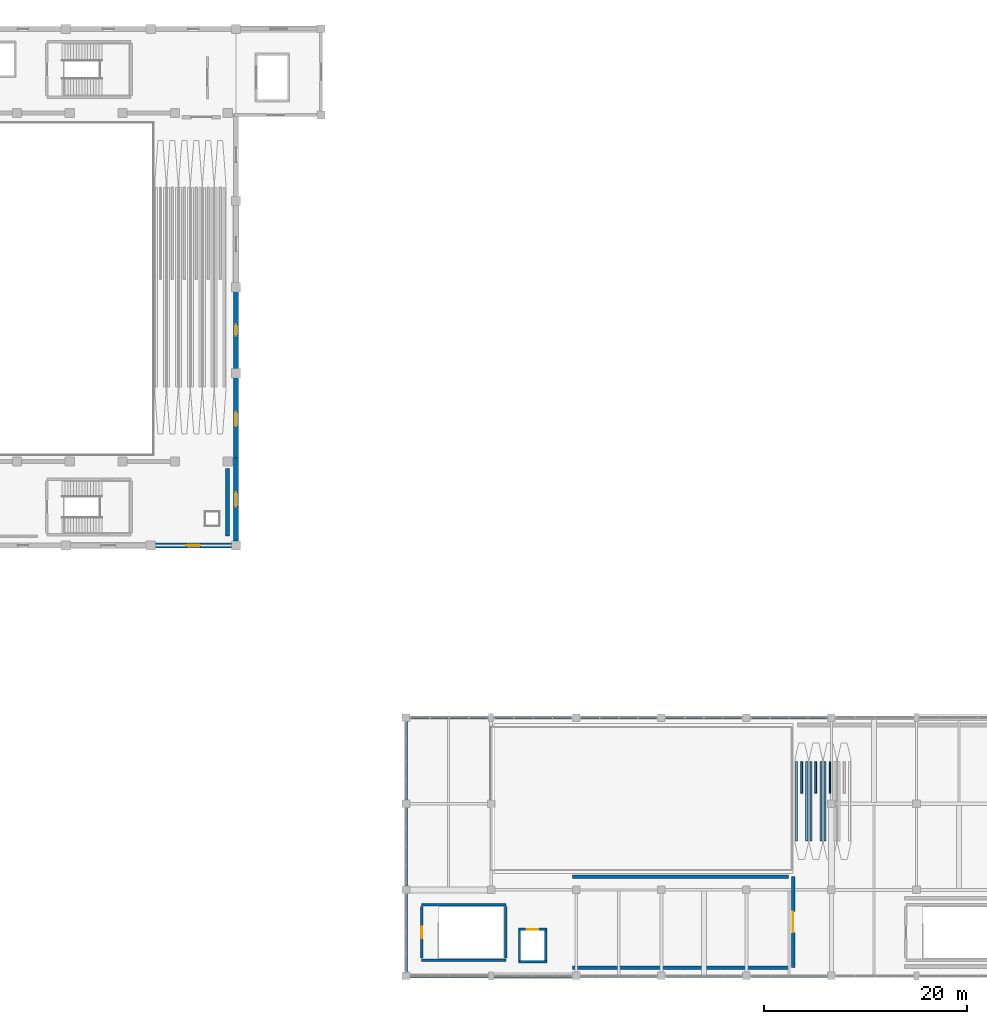
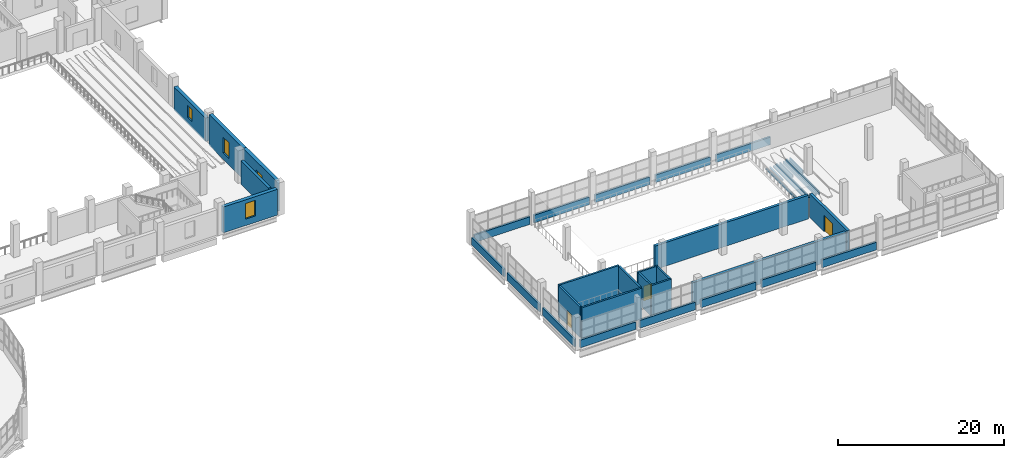
# One storey, part 63 of 77: 37 walls, 4 windows, 3 doors, 7 openings.
"""IFC4 building model written with IfcOpenShell, lengths in metres."""

from ifc_helpers import new_model, si_unit, direction, frame, frame_2d, origin, place, context, subcontext, project, spatial, rectangle, extrude, material, layer, layer_set, type_object, element, fill, save


model = new_model("IFC4")

# Units and contexts
model_context = context("Model", 3, precision=1e-05, world=origin(), true_north=direction((0.0, 1.0)))
body_context = subcontext(model_context, "Body", "Model", "MODEL_VIEW")
ifc_project = project(units=[si_unit("LENGTHUNIT", "METRE"), si_unit("AREAUNIT", "SQUARE_METRE"), si_unit("VOLUMEUNIT", "CUBIC_METRE"), si_unit("PLANEANGLEUNIT", "RADIAN"), si_unit("MASSUNIT", "GRAM", prefix="KILO")], contexts=[model_context])

# Site, building, storey
site_placement = place(None, origin())
site = spatial("IfcSite", under=ifc_project, at=site_placement, CompositionType="ELEMENT")
building_placement = place(site_placement, origin())
building = spatial("IfcBuilding", under=site, at=building_placement, Name="Solvento Point Concert Hall", CompositionType="ELEMENT")
storey_placement = place(building_placement, frame((0.0, 0.0, 10.199951171875)))
storey = spatial("IfcBuildingStorey", under=building, at=storey_placement, Name="L02", CompositionType="ELEMENT", Elevation=10.199951171875)

# Wall
ifc_material_1 = material(Name="Acoustic Double-Stud Gypsum Partition")
ifc_layer_1 = layer(ifc_material_1, 0.364990234375)
ifc_layer_set_1 = layer_set([ifc_layer_1], Name="Acoustic Double-Stud Gypsum Partition")
wall_type_1 = type_object("IfcWallType", Name="AcousticPartition_365", PredefinedType="PARTITIONING", material=ifc_layer_set_1)
wall_1_placement = place(storey_placement, frame((132.3798828125, 50.10009765625, 0.0), z_axis=(0.0, 0.0, 1.0), x_axis=(0.0, -1.0, 0.0)))
element("IfcWall", 1, at=wall_1_placement, inside=storey, type_object=wall_type_1, Name="Interior acoustic partition PW-43 L02", PredefinedType="PARTITIONING", context=body_context, shape_type="SweptSolid", body=[
    extrude(rectangle(XDim=6.68017578125, YDim=0.364990234375, at=frame_2d((3.340087890625, 0.0))), origin(), (0.0, 0.0, 1.0), 3.4599609375),
])

# Wall, opening, door
wall_2_placement = place(storey_placement, frame((188.219970703125, 0.820068359375, 0.0), z_axis=(0.0, 0.0, 1.0), x_axis=(0.0, 1.0, 0.0)))
wall_2 = element("IfcWall", 2, at=wall_2_placement, inside=storey, type_object=wall_type_1, Name="Interior acoustic partition PW-43 L02", PredefinedType="PARTITIONING", context=body_context, shape_type="SweptSolid", body=[
    extrude(rectangle(XDim=9.01611328125, YDim=0.364990234375, at=frame_2d((4.508056640625, 0.0))), origin(), (0.0, 0.0, 1.0), 3.4599609375),
])
opening_1_placement = place(wall_2_placement, frame((3.488037109375, 0.0, 0.0)))
opening_1 = element("IfcOpeningElement", 3, at=opening_1_placement, cuts=wall_2, Name="Opening DR-97", PredefinedType="OPENING", context=body_context, shape_type="SweptSolid", body=[
    extrude(rectangle(XDim=2.0400390625, YDim=2.39990234375, at=frame_2d((1.02001953125, 1.199951171875))), frame((0.0, 0.1923828125, 0.0), z_axis=(0.0, -1.0, 0.0), x_axis=(1.0, 0.0, 0.0)), (0.0, 0.0, 1.0), 0.385009765625),
])
ifc_material_2 = material(Name="Brazilian Hardwood Acoustic Door", Category="wood")
door_type_1 = type_object("IfcDoorType", Name="IntDoor_ChamberSoundLk", OperationType="NOTDEFINED", PredefinedType="DOOR", material=ifc_material_2)
door_1_placement = place(opening_1_placement, origin())
door_1 = element("IfcDoor", 4, at=door_1_placement, inside=storey, type_object=door_type_1, Name="Interior door DR-97 L02", OperationType="SINGLE_SWING_LEFT", OverallHeight=2.39990234375, OverallWidth=2.0400390625, PredefinedType="DOOR", context=body_context, shape_type="SweptSolid", body=[
    extrude(rectangle(XDim=2.0400390625, YDim=2.39990234375, at=frame_2d((1.02001953125, 1.199951171875))), frame((0.0, 0.02490234375, 0.0), z_axis=(0.0, -1.0, 0.0), x_axis=(1.0, 0.0, 0.0)), (0.0, 0.0, 1.0), 0.050048828125),
])
fill(opening_1, door_1)

# Walls
for number, where, z_axis, x_axis, name in (
    (5, (166.419921875, 9.780029296875, 0.0), (0.0, 0.0, 1.0), (1.0, 0.0, 0.0), "Interior acoustic partition PW-43 L02"),
    (6, (187.780029296875, 0.820068359375, 0.0), (0.0, 0.0, 1.0), (-1.0, 0.0, 0.0), "Interior acoustic partition PW-43 L02"),
):
    element("IfcWall", number, at=place(storey_placement, frame(where, z_axis=z_axis, x_axis=x_axis)), inside=storey, type_object=wall_type_1, Name=name, PredefinedType="PARTITIONING", context=body_context, shape_type="SweptSolid", body=[
        extrude(rectangle(XDim=21.360107421875, YDim=0.364990234375, at=frame_2d((10.68017578125, 0.0))), origin(), (0.0, 0.0, 1.0), 3.4599609375),
    ])
ifc_material_3 = material(Name="Concrete C40/50", Category="concrete")
ifc_layer_2 = layer(ifc_material_3, 0.300048828125)
ifc_layer_set_2 = layer_set([ifc_layer_2], Name="Concrete C40/50")
wall_type_2 = type_object("IfcWallType", Name="CoreShearWall_300", PredefinedType="SHEAR", material=ifc_layer_set_2)
for number, where, z_axis, x_axis, name in (
    (7, (159.85009765625, 1.550048828125, 0.0), (0.0, 0.0, 1.0), (-1.0, 0.0, 0.0), "Stair core shear wall W-SH1 ST-08 L02"),
    (8, (151.550048828125, 7.050048828125, 0.0), (0.0, 0.0, 1.0), (1.0, 0.0, 0.0), "Stair core shear wall W-SH1 ST-08 L02"),
):
    element("IfcWall", number, at=place(storey_placement, frame(where, z_axis=z_axis, x_axis=x_axis)), inside=storey, type_object=wall_type_2, Name=name, PredefinedType="SHEAR", context=body_context, shape_type="SweptSolid", body=[
        extrude(rectangle(XDim=8.300048828125, YDim=0.25, at=frame_2d((4.14990234375, 0.0))), origin(), (0.0, 0.0, 1.0), 4.5400390625),
    ])

# Wall, opening, door
wall_3_placement = place(storey_placement, frame((151.550048828125, 1.75, 0.0), z_axis=(0.0, 0.0, 1.0), x_axis=(0.0, 1.0, 0.0)))
wall_3 = element("IfcWall", 9, at=wall_3_placement, inside=storey, type_object=wall_type_2, Name="Stair core shear wall W-SH1 ST-08 L02", PredefinedType="SHEAR", context=body_context, shape_type="SweptSolid", body=[
    extrude(rectangle(XDim=5.10009765625, YDim=0.25, at=frame_2d((2.550048828125, 0.0))), origin(), (0.0, 0.0, 1.0), 4.5400390625),
])
opening_2_placement = place(wall_3_placement, frame((1.97509765625, 0.0, 0.0)))
opening_2 = element("IfcOpeningElement", 10, at=opening_2_placement, cuts=wall_3, Name="Opening D-ST1", PredefinedType="OPENING", context=body_context, shape_type="SweptSolid", body=[
    extrude(rectangle(XDim=1.14990234375, YDim=2.179931640625, at=frame_2d((0.574951171875, 1.08984375))), frame((0.0, 0.135009765625, 0.0), z_axis=(0.0, -1.0, 0.0), x_axis=(1.0, 0.0, 0.0)), (0.0, 0.0, 1.0), 0.27001953125),
])
ifc_material_4 = material(Name="Hollow Metal Acoustic Fire Door")
door_type_2 = type_object("IfcDoorType", Name="StairFireDoor_1150", OperationType="NOTDEFINED", PredefinedType="DOOR", material=ifc_material_4)
door_2_placement = place(opening_2_placement, origin())
door_2 = element("IfcDoor", 11, at=door_2_placement, inside=storey, type_object=door_type_2, Name="Protected exit stair door ST-08 L02", OperationType="SINGLE_SWING_RIGHT", OverallHeight=2.179931640625, OverallWidth=1.14990234375, PredefinedType="DOOR", context=body_context, shape_type="SweptSolid", body=[
    extrude(rectangle(XDim=1.14990234375, YDim=2.179931640625, at=frame_2d((0.574951171875, 1.08984375))), frame((0.0, 0.02490234375, 0.0), z_axis=(0.0, -1.0, 0.0), x_axis=(1.0, 0.0, 0.0)), (0.0, 0.0, 1.0), 0.050048828125),
])
fill(opening_2, door_2)

# Walls
wall_4_placement = place(storey_placement, frame((159.85009765625, 6.85009765625, 0.0), z_axis=(0.0, 0.0, 1.0), x_axis=(0.0, -1.0, 0.0)))
element("IfcWall", 12, at=wall_4_placement, inside=storey, type_object=wall_type_2, Name="Stair core shear wall W-SH1 ST-08 L02", PredefinedType="SHEAR", context=body_context, shape_type="SweptSolid", body=[
    extrude(rectangle(XDim=5.10009765625, YDim=0.25, at=frame_2d((2.550048828125, 0.0))), origin(), (0.0, 0.0, 1.0), 4.5400390625),
])
wall_5_placement = place(storey_placement, frame((161.090087890625, 1.39990234375, 0.0), z_axis=(0.0, 0.0, 1.0), x_axis=(1.0, 0.0, 0.0)))
element("IfcWall", 13, at=wall_5_placement, inside=storey, type_object=wall_type_2, Name="Elevator shaft shear wall W-SH1 LP-04 L02", PredefinedType="SHEAR", context=body_context, shape_type="SweptSolid", body=[
    extrude(rectangle(XDim=2.81982421875, YDim=0.219970703125, at=frame_2d((1.409912109375, 0.0))), origin(), (0.0, 0.0, 1.0), 4.5400390625),
])

# Wall, opening, door
wall_6_placement = place(storey_placement, frame((161.090087890625, 4.60009765625, 0.0), z_axis=(0.0, 0.0, 1.0), x_axis=(1.0, 0.0, 0.0)))
wall_6 = element("IfcWall", 14, at=wall_6_placement, inside=storey, type_object=wall_type_2, Name="Elevator shaft shear wall W-SH1 LP-04 L02", PredefinedType="SHEAR", context=body_context, shape_type="SweptSolid", body=[
    extrude(rectangle(XDim=2.81982421875, YDim=0.219970703125, at=frame_2d((1.409912109375, 0.0))), origin(), (0.0, 0.0, 1.0), 4.5400390625),
])
opening_3_placement = place(wall_6_placement, frame((0.8349609375, 0.0, 0.0)))
opening_3 = element("IfcOpeningElement", 15, at=opening_3_placement, cuts=wall_6, Name="Opening LD-02", PredefinedType="OPENING", context=body_context, shape_type="SweptSolid", body=[
    extrude(rectangle(XDim=1.14990234375, YDim=2.199951171875, at=frame_2d((0.574951171875, 1.10009765625))), frame((0.0, 0.119873046875, 0.0), z_axis=(0.0, -1.0, 0.0), x_axis=(1.0, 0.0, 0.0)), (0.0, 0.0, 1.0), 0.239990234375),
])
ifc_material_5 = material(Name="Hollow Metal Acoustic Fire Door")
door_type_3 = type_object("IfcDoorType", Name="LiftLandingDoor_Pass", OperationType="SLIDING_TO_LEFT", PredefinedType="DOOR", material=ifc_material_5)
door_3_placement = place(opening_3_placement, origin())
door_3 = element("IfcDoor", 16, at=door_3_placement, inside=storey, type_object=door_type_3, Name="Elevator landing door LP-04 L02", OperationType="SLIDING_TO_LEFT", OverallHeight=2.199951171875, OverallWidth=1.14990234375, PredefinedType="DOOR", context=body_context, shape_type="SweptSolid", body=[
    extrude(rectangle(XDim=1.14990234375, YDim=2.199951171875, at=frame_2d((0.574951171875, 1.10009765625))), frame((0.0, 0.02490234375, 0.0), z_axis=(0.0, -1.0, 0.0), x_axis=(1.0, 0.0, 0.0)), (0.0, 0.0, 1.0), 0.050048828125),
])
fill(opening_3, door_3)

# Walls
for number, where, z_axis, x_axis, name in (
    (17, (161.199951171875, 1.510009765625, 0.0), (0.0, 0.0, 1.0), (0.0, 1.0, 0.0), "Elevator shaft shear wall W-SH1 LP-04 L02"),
    (18, (163.800048828125, 1.510009765625, 0.0), (0.0, 0.0, 1.0), (0.0, 1.0, 0.0), "Elevator shaft shear wall W-SH1 LP-04 L02"),
):
    element("IfcWall", number, at=place(storey_placement, frame(where, z_axis=z_axis, x_axis=x_axis)), inside=storey, type_object=wall_type_2, Name=name, PredefinedType="SHEAR", context=body_context, shape_type="SweptSolid", body=[
        extrude(rectangle(XDim=2.97998046875, YDim=0.219970703125, at=frame_2d((1.489990234375, 0.0))), origin(), (0.0, 0.0, 1.0), 4.5400390625),
    ])

# Wall, opening, window
ifc_material_6 = material(Name="Concrete C40/50", Category="concrete")
ifc_layer_3 = layer(ifc_material_6, 0.47998046875)
ifc_layer_set_3 = layer_set([ifc_layer_3], Name="Concrete C40/50")
wall_type_3 = type_object("IfcWallType", Name="ExtWall_V1_Drum_480", PredefinedType="SOLIDWALL", material=ifc_layer_set_3)
wall_7_placement = place(storey_placement, frame((133.199951171875, 51.159912109375, 0.0), z_axis=(0.0, 0.0, 1.0), x_axis=(0.0, -1.0, 0.0)))
wall_7 = element("IfcWall", 19, at=wall_7_placement, inside=storey, type_object=wall_type_3, Name="Exterior architectural concrete wall EW-46 L02", PredefinedType="SOLIDWALL", context=body_context, shape_type="SweptSolid", body=[
    extrude(rectangle(XDim=8.22998046875, YDim=0.47998046875, at=frame_2d((4.114990234375, 0.0))), origin(), (0.0, 0.0, 1.0), 4.5400390625),
])
opening_4_placement = place(wall_7_placement, frame((3.4150390625, 0.0, 0.949951171875)))
opening_4 = element("IfcOpeningElement", 20, at=opening_4_placement, cuts=wall_7, Name="Opening WN-33", PredefinedType="OPENING", context=body_context, shape_type="SweptSolid", body=[
    extrude(rectangle(XDim=1.39990234375, YDim=2.300048828125, at=frame_2d((0.699951171875, 1.14990234375))), frame((0.0, 0.25, 0.0), z_axis=(0.0, -1.0, 0.0), x_axis=(1.0, 0.0, 0.0)), (0.0, 0.0, 1.0), 0.5),
])
ifc_material_7 = material(Name="Hurricane Laminated Low-E Glass", Category="glass")
window_type_1 = type_object("IfcWindowType", Name="Win_V1_ParterreSlot_L02", PartitioningType="SINGLE_PANEL", PredefinedType="WINDOW", material=ifc_material_7)
window_1_placement = place(opening_4_placement, origin())
window_1 = element("IfcWindow", 21, at=window_1_placement, inside=storey, type_object=window_type_1, Name="Impact acoustic window WN-33", OverallHeight=2.300048828125, OverallWidth=1.39990234375, PartitioningType="SINGLE_PANEL", PredefinedType="WINDOW", context=body_context, shape_type="SweptSolid", body=[
    extrude(rectangle(XDim=1.39990234375, YDim=2.300048828125, at=frame_2d((0.699951171875, 1.14990234375))), frame((0.0, 0.030029296875, 0.0), z_axis=(0.0, -1.0, 0.0), x_axis=(1.0, 0.0, 0.0)), (0.0, 0.0, 1.0), 0.06005859375),
])
fill(opening_4, window_1)

wall_8_placement = place(storey_placement, frame((133.199951171875, 59.070068359375, 0.0), z_axis=(0.0, 0.0, 1.0), x_axis=(0.0, -1.0, 0.0)))
wall_8 = element("IfcWall", 22, at=wall_8_placement, inside=storey, type_object=wall_type_3, Name="Exterior architectural concrete wall EW-46 L02", PredefinedType="SOLIDWALL", context=body_context, shape_type="SweptSolid", body=[
    extrude(rectangle(XDim=8.22998046875, YDim=0.47998046875, at=frame_2d((4.114990234375, 0.0))), origin(), (0.0, 0.0, 1.0), 4.5400390625),
])
opening_5_placement = place(wall_8_placement, frame((3.4150390625, 0.0, 0.949951171875)))
opening_5 = element("IfcOpeningElement", 23, at=opening_5_placement, cuts=wall_8, Name="Opening WN-33", PredefinedType="OPENING", context=body_context, shape_type="SweptSolid", body=[
    extrude(rectangle(XDim=1.39990234375, YDim=2.300048828125, at=frame_2d((0.699951171875, 1.14990234375))), frame((0.0, 0.25, 0.0), z_axis=(0.0, -1.0, 0.0), x_axis=(1.0, 0.0, 0.0)), (0.0, 0.0, 1.0), 0.5),
])
window_2_placement = place(opening_5_placement, origin())
window_2 = element("IfcWindow", 24, at=window_2_placement, inside=storey, type_object=window_type_1, Name="Impact acoustic window WN-33", OverallHeight=2.300048828125, OverallWidth=1.39990234375, PartitioningType="SINGLE_PANEL", PredefinedType="WINDOW", context=body_context, shape_type="SweptSolid", body=[
    extrude(rectangle(XDim=1.39990234375, YDim=2.300048828125, at=frame_2d((0.699951171875, 1.14990234375))), frame((0.0, 0.030029296875, 0.0), z_axis=(0.0, -1.0, 0.0), x_axis=(1.0, 0.0, 0.0)), (0.0, 0.0, 1.0), 0.06005859375),
])
fill(opening_5, window_2)

wall_9_placement = place(storey_placement, frame((133.199951171875, 67.570068359375, 0.0), z_axis=(0.0, 0.0, 1.0), x_axis=(0.0, -1.0, 0.0)))
wall_9 = element("IfcWall", 25, at=wall_9_placement, inside=storey, type_object=wall_type_3, Name="Exterior architectural concrete wall EW-46 L02", PredefinedType="SOLIDWALL", context=body_context, shape_type="SweptSolid", body=[
    extrude(rectangle(XDim=7.64013671875, YDim=0.47998046875, at=frame_2d((3.820068359375, 0.0))), origin(), (0.0, 0.0, 1.0), 3.444091796875),
])
opening_6_placement = place(wall_9_placement, frame((3.294921875, 0.0, 0.949951171875)))
opening_6 = element("IfcOpeningElement", 26, at=opening_6_placement, cuts=wall_9, Name="Opening WN-89", PredefinedType="OPENING", context=body_context, shape_type="SweptSolid", body=[
    extrude(rectangle(XDim=1.050048828125, YDim=1.800048828125, at=frame_2d((0.52490234375, 0.89990234375))), frame((0.0, 0.25, 0.0), z_axis=(0.0, -1.0, 0.0), x_axis=(1.0, 0.0, 0.0)), (0.0, 0.0, 1.0), 0.5),
])
ifc_material_8 = material(Name="Hurricane Laminated Low-E Glass", Category="glass")
window_type_2 = type_object("IfcWindowType", Name="Win_NarrowPier_1050", PartitioningType="SINGLE_PANEL", PredefinedType="WINDOW", material=ifc_material_8)
window_3_placement = place(opening_6_placement, origin())
window_3 = element("IfcWindow", 27, at=window_3_placement, inside=storey, type_object=window_type_2, Name="Impact acoustic window WN-89", OverallHeight=1.800048828125, OverallWidth=1.050048828125, PartitioningType="SINGLE_PANEL", PredefinedType="WINDOW", context=body_context, shape_type="SweptSolid", body=[
    extrude(rectangle(XDim=1.050048828125, YDim=1.800048828125, at=frame_2d((0.52490234375, 0.89990234375))), frame((0.0, 0.030029296875, 0.0), z_axis=(0.0, -1.0, 0.0), x_axis=(1.0, 0.0, 0.0)), (0.0, 0.0, 1.0), 0.06005859375),
])
fill(opening_6, window_3)

wall_10_placement = place(storey_placement, frame((132.77001953125, 42.5, 0.0), z_axis=(0.0, 0.0, 1.0), x_axis=(-1.0, 0.0, 0.0)))
wall_10 = element("IfcWall", 28, at=wall_10_placement, inside=storey, type_object=wall_type_3, Name="Exterior architectural concrete wall EW-46 L02", PredefinedType="SOLIDWALL", context=body_context, shape_type="SweptSolid", body=[
    extrude(rectangle(XDim=7.5400390625, YDim=0.47998046875, at=frame_2d((3.77001953125, 0.0))), origin(), (0.0, 0.0, 1.0), 3.795166015625),
])
opening_7_placement = place(wall_10_placement, frame((3.070068359375, 0.0, 0.949951171875)))
opening_7 = element("IfcOpeningElement", 29, at=opening_7_placement, cuts=wall_10, Name="Opening WN-33", PredefinedType="OPENING", context=body_context, shape_type="SweptSolid", body=[
    extrude(rectangle(XDim=1.39990234375, YDim=2.300048828125, at=frame_2d((0.699951171875, 1.14990234375))), frame((0.0, 0.25, 0.0), z_axis=(0.0, -1.0, 0.0), x_axis=(1.0, 0.0, 0.0)), (0.0, 0.0, 1.0), 0.5),
])
window_4_placement = place(opening_7_placement, origin())
window_4 = element("IfcWindow", 30, at=window_4_placement, inside=storey, type_object=window_type_1, Name="Impact acoustic window WN-33", OverallHeight=2.300048828125, OverallWidth=1.39990234375, PartitioningType="SINGLE_PANEL", PredefinedType="WINDOW", context=body_context, shape_type="SweptSolid", body=[
    extrude(rectangle(XDim=1.39990234375, YDim=2.300048828125, at=frame_2d((0.699951171875, 1.14990234375))), frame((0.0, 0.030029296875, 0.0), z_axis=(0.0, -1.0, 0.0), x_axis=(1.0, 0.0, 0.0)), (0.0, 0.0, 1.0), 0.06005859375),
])
fill(opening_7, window_4)

# Walls
ifc_material_9 = material(Name="Concrete C40/50", Category="concrete")
ifc_layer_4 = layer(ifc_material_9, 0.260009765625)
ifc_layer_set_4 = layer_set([ifc_layer_4], Name="Concrete C40/50")
wall_type_4 = type_object("IfcWallType", Name="Parapet_Ring_260", PredefinedType="PARAPET", material=ifc_layer_set_4)
wall_11_placement = place(storey_placement, frame((150.39501953125, 25.5, 0.0), z_axis=(0.0, 0.0, 1.0), x_axis=(1.0, 0.0, 0.0)))
element("IfcWall", 31, at=wall_11_placement, inside=storey, type_object=wall_type_4, Name="Sliding elliptical white concrete ring spandrel PR-01 L02", PredefinedType="PARAPET", context=body_context, shape_type="SweptSolid", body=[
    extrude(rectangle(XDim=7.73486328125, YDim=0.260009765625, at=frame_2d((3.867431640625, 0.0))), origin(), (0.0, 0.0, 1.0), 1.1201171875),
])
wall_12_placement = place(storey_placement, frame((158.669921875, 25.5, 0.0), z_axis=(0.0, 0.0, 1.0), x_axis=(1.0, 0.0, 0.0)))
element("IfcWall", 32, at=wall_12_placement, inside=storey, type_object=wall_type_4, Name="Sliding elliptical white concrete ring spandrel PR-01 L02", PredefinedType="PARAPET", context=body_context, shape_type="SweptSolid", body=[
    extrude(rectangle(XDim=7.735107421875, YDim=0.260009765625, at=frame_2d((3.86767578125, 0.0))), origin(), (0.0, 0.0, 1.0), 1.1201171875),
])
wall_13_placement = place(storey_placement, frame((167.195068359375, 25.5, 0.0), z_axis=(0.0, 0.0, 1.0), x_axis=(1.0, 0.0, 0.0)))
element("IfcWall", 33, at=wall_13_placement, inside=storey, type_object=wall_type_4, Name="Sliding elliptical white concrete ring spandrel PR-01 L02", PredefinedType="PARAPET", context=body_context, shape_type="SweptSolid", body=[
    extrude(rectangle(XDim=7.60986328125, YDim=0.260009765625, at=frame_2d((3.804931640625, 0.0))), origin(), (0.0, 0.0, 1.0), 1.1201171875),
])
wall_14_placement = place(storey_placement, frame((175.594970703125, 25.5, 0.0), z_axis=(0.0, 0.0, 1.0), x_axis=(1.0, 0.0, 0.0)))
element("IfcWall", 34, at=wall_14_placement, inside=storey, type_object=wall_type_4, Name="Sliding elliptical white concrete ring spandrel PR-01 L02", PredefinedType="PARAPET", context=body_context, shape_type="SweptSolid", body=[
    extrude(rectangle(XDim=7.610107421875, YDim=0.260009765625, at=frame_2d((3.80517578125, 0.0))), origin(), (0.0, 0.0, 1.0), 1.1201171875),
])
wall_15_placement = place(storey_placement, frame((183.9951171875, 25.5, 0.0), z_axis=(0.0, 0.0, 1.0), x_axis=(1.0, 0.0, 0.0)))
element("IfcWall", 35, at=wall_15_placement, inside=storey, type_object=wall_type_4, Name="Sliding elliptical white concrete ring spandrel PR-01 L02", PredefinedType="PARAPET", context=body_context, shape_type="SweptSolid", body=[
    extrude(rectangle(XDim=7.60986328125, YDim=0.260009765625, at=frame_2d((3.804931640625, 0.0))), origin(), (0.0, 0.0, 1.0), 1.1201171875),
])
wall_16_placement = place(storey_placement, frame((158.1298828125, 0.0, 0.0), z_axis=(0.0, 0.0, 1.0), x_axis=(-1.0, 0.0, 0.0)))
element("IfcWall", 36, at=wall_16_placement, inside=storey, type_object=wall_type_4, Name="Sliding elliptical white concrete ring spandrel PR-01 L02", PredefinedType="PARAPET", context=body_context, shape_type="SweptSolid", body=[
    extrude(rectangle(XDim=7.73486328125, YDim=0.260009765625, at=frame_2d((3.867431640625, 0.0))), origin(), (0.0, 0.0, 1.0), 1.1201171875),
])
wall_17_placement = place(storey_placement, frame((166.405029296875, 0.0, 0.0), z_axis=(0.0, 0.0, 1.0), x_axis=(-1.0, 0.0, 0.0)))
element("IfcWall", 37, at=wall_17_placement, inside=storey, type_object=wall_type_4, Name="Sliding elliptical white concrete ring spandrel PR-01 L02", PredefinedType="PARAPET", context=body_context, shape_type="SweptSolid", body=[
    extrude(rectangle(XDim=7.735107421875, YDim=0.260009765625, at=frame_2d((3.86767578125, 0.0))), origin(), (0.0, 0.0, 1.0), 1.1201171875),
])
wall_18_placement = place(storey_placement, frame((174.804931640625, 0.0, 0.0), z_axis=(0.0, 0.0, 1.0), x_axis=(-1.0, 0.0, 0.0)))
element("IfcWall", 38, at=wall_18_placement, inside=storey, type_object=wall_type_4, Name="Sliding elliptical white concrete ring spandrel PR-01 L02", PredefinedType="PARAPET", context=body_context, shape_type="SweptSolid", body=[
    extrude(rectangle(XDim=7.60986328125, YDim=0.260009765625, at=frame_2d((3.804931640625, 0.0))), origin(), (0.0, 0.0, 1.0), 1.1201171875),
])
wall_19_placement = place(storey_placement, frame((183.205078125, 0.0, 0.0), z_axis=(0.0, 0.0, 1.0), x_axis=(-1.0, 0.0, 0.0)))
element("IfcWall", 39, at=wall_19_placement, inside=storey, type_object=wall_type_4, Name="Sliding elliptical white concrete ring spandrel PR-01 L02", PredefinedType="PARAPET", context=body_context, shape_type="SweptSolid", body=[
    extrude(rectangle(XDim=7.610107421875, YDim=0.260009765625, at=frame_2d((3.80517578125, 0.0))), origin(), (0.0, 0.0, 1.0), 1.1201171875),
])
wall_20_placement = place(storey_placement, frame((191.60498046875, 0.0, 0.0), z_axis=(0.0, 0.0, 1.0), x_axis=(-1.0, 0.0, 0.0)))
element("IfcWall", 40, at=wall_20_placement, inside=storey, type_object=wall_type_4, Name="Sliding elliptical white concrete ring spandrel PR-01 L02", PredefinedType="PARAPET", context=body_context, shape_type="SweptSolid", body=[
    extrude(rectangle(XDim=7.60986328125, YDim=0.260009765625, at=frame_2d((3.804931640625, 0.0))), origin(), (0.0, 0.0, 1.0), 1.1201171875),
])
for number, where, z_axis, x_axis, name in (
    (41, (150.0, 0.39501953125, 0.0), (0.0, 0.0, 1.0), (0.0, 1.0, 0.0), "Sliding elliptical white concrete ring spandrel PR-01 L02"),
    (42, (150.0, 8.89501953125, 0.0), (0.0, 0.0, 1.0), (0.0, 1.0, 0.0), "Sliding elliptical white concrete ring spandrel PR-01 L02"),
    (43, (150.0, 17.39501953125, 0.0), (0.0, 0.0, 1.0), (0.0, 1.0, 0.0), "Sliding elliptical white concrete ring spandrel PR-01 L02"),
):
    element("IfcWall", number, at=place(storey_placement, frame(where, z_axis=z_axis, x_axis=x_axis)), inside=storey, type_object=wall_type_4, Name=name, PredefinedType="PARAPET", context=body_context, shape_type="SweptSolid", body=[
        extrude(rectangle(XDim=7.7099609375, YDim=0.260009765625, at=frame_2d((3.85498046875, 0.0))), origin(), (0.0, 0.0, 1.0), 1.1201171875),
    ])
ifc_material_10 = material(Name="Concrete C35/45", Category="concrete")
ifc_layer_5 = layer(ifc_material_10, 0.25)
ifc_layer_set_5 = layer_set([ifc_layer_5], Name="Concrete C35/45")
wall_type_5 = type_object("IfcWallType", Name="TierSupportWall_250", PredefinedType="SHEAR", material=ifc_layer_set_5)
for number, where, z_axis, x_axis, name in (
    (44, (188.56005859375, 13.340087890625, 0.0), (0.0, 0.0, 1.0), (0.0, 1.0, 0.0), "Seating tier riser support wall W-TR1 TIER-L02-CHB-01"),
    (45, (189.56005859375, 13.340087890625, 0.0), (0.0, 0.0, 1.0), (0.0, 1.0, 0.0), "Seating tier rear support wall W-TR1 TIER-L02-CHB-01"),
):
    element("IfcWall", number, at=place(storey_placement, frame(where, z_axis=z_axis, x_axis=x_axis)), inside=storey, type_object=wall_type_5, Name=name, PredefinedType="SHEAR", context=body_context, shape_type="SweptSolid", body=[
        extrude(rectangle(XDim=7.81982421875, YDim=0.199951171875, at=frame_2d((3.909912109375, 0.0))), origin(), (0.0, 0.0, 1.0), 0.2099609375),
    ])
wall_21_placement = place(storey_placement, frame((189.06005859375, 18.050048828125, 0.0), z_axis=(0.0, 0.0, 1.0), x_axis=(0.0, 1.0, 0.0)))
element("IfcWall", 46, at=wall_21_placement, inside=storey, type_object=wall_type_5, Name="Seating tier spine support wall W-TR1 TIER-L02-CHB-01", PredefinedType="SHEAR", context=body_context, shape_type="SweptSolid", body=[
    extrude(rectangle(XDim=3.10986328125, YDim=0.179931640625, at=frame_2d((1.554931640625, 0.0))), origin(), (0.0, 0.0, 1.0), 0.2099609375),
])
for number, where, z_axis, x_axis, name in (
    (47, (189.9599609375, 13.340087890625, 0.0), (0.0, 0.0, 1.0), (0.0, 1.0, 0.0), "Seating tier riser support wall W-TR1 TIER-L02-CHB-02"),
    (48, (190.9599609375, 13.340087890625, 0.0), (0.0, 0.0, 1.0), (0.0, 1.0, 0.0), "Seating tier rear support wall W-TR1 TIER-L02-CHB-02"),
):
    element("IfcWall", number, at=place(storey_placement, frame(where, z_axis=z_axis, x_axis=x_axis)), inside=storey, type_object=wall_type_5, Name=name, PredefinedType="SHEAR", context=body_context, shape_type="SweptSolid", body=[
        extrude(rectangle(XDim=7.81982421875, YDim=0.199951171875, at=frame_2d((3.909912109375, 0.0))), origin(), (0.0, 0.0, 1.0), 0.39013671875),
    ])
wall_22_placement = place(storey_placement, frame((190.4599609375, 18.050048828125, 0.0), z_axis=(0.0, 0.0, 1.0), x_axis=(0.0, 1.0, 0.0)))
element("IfcWall", 49, at=wall_22_placement, inside=storey, type_object=wall_type_5, Name="Seating tier spine support wall W-TR1 TIER-L02-CHB-02", PredefinedType="SHEAR", context=body_context, shape_type="SweptSolid", body=[
    extrude(rectangle(XDim=3.10986328125, YDim=0.179931640625, at=frame_2d((1.554931640625, 0.0))), origin(), (0.0, 0.0, 1.0), 0.39013671875),
])
wall_23_placement = place(storey_placement, frame((191.360107421875, 13.340087890625, 0.0), z_axis=(0.0, 0.0, 1.0), x_axis=(0.0, 1.0, 0.0)))
element("IfcWall", 50, at=wall_23_placement, inside=storey, type_object=wall_type_5, Name="Seating tier riser support wall W-TR1 TIER-L02-CHB-03", PredefinedType="SHEAR", context=body_context, shape_type="SweptSolid", body=[
    extrude(rectangle(XDim=7.81982421875, YDim=0.199951171875, at=frame_2d((3.909912109375, 0.0))), origin(), (0.0, 0.0, 1.0), 0.570068359375),
])
wall_24_placement = place(storey_placement, frame((191.860107421875, 18.050048828125, 0.0), z_axis=(0.0, 0.0, 1.0), x_axis=(0.0, 1.0, 0.0)))
element("IfcWall", 51, at=wall_24_placement, inside=storey, type_object=wall_type_5, Name="Seating tier spine support wall W-TR1 TIER-L02-CHB-03", PredefinedType="SHEAR", context=body_context, shape_type="SweptSolid", body=[
    extrude(rectangle(XDim=3.10986328125, YDim=0.179931640625, at=frame_2d((1.554931640625, 0.0))), origin(), (0.0, 0.0, 1.0), 0.570068359375),
])

save(model, "model.ifc")
